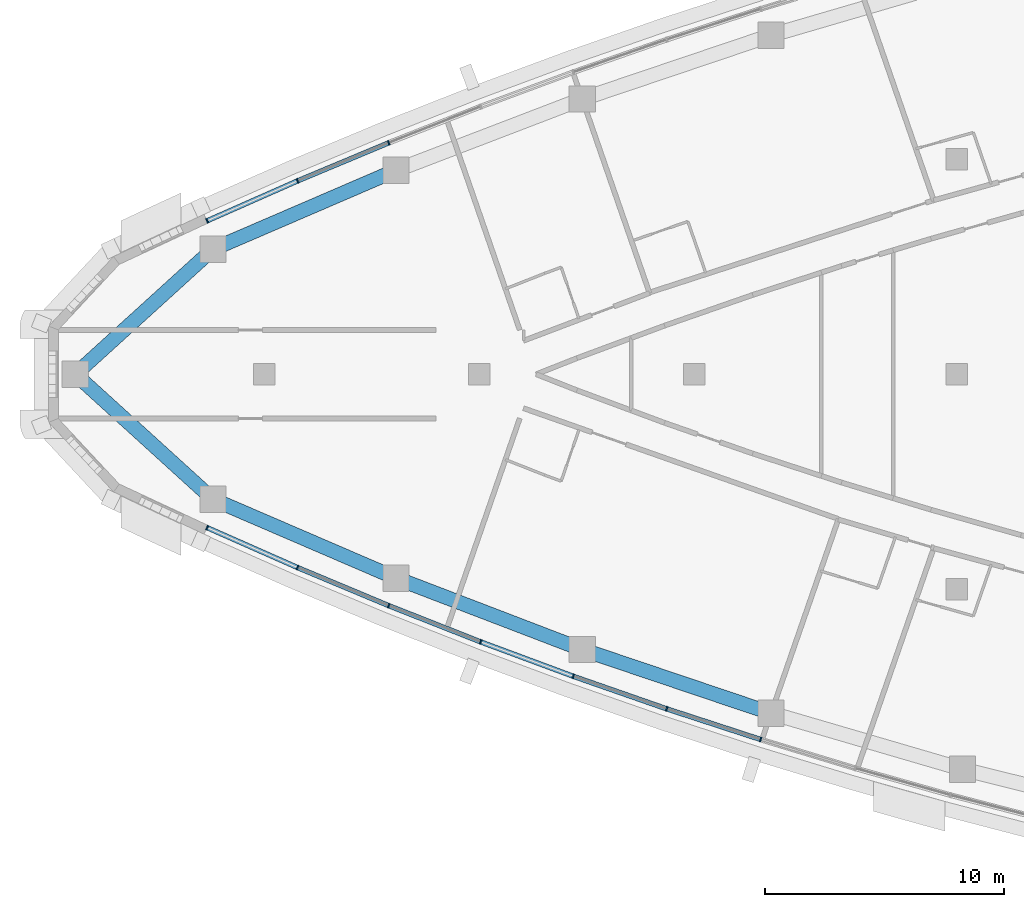
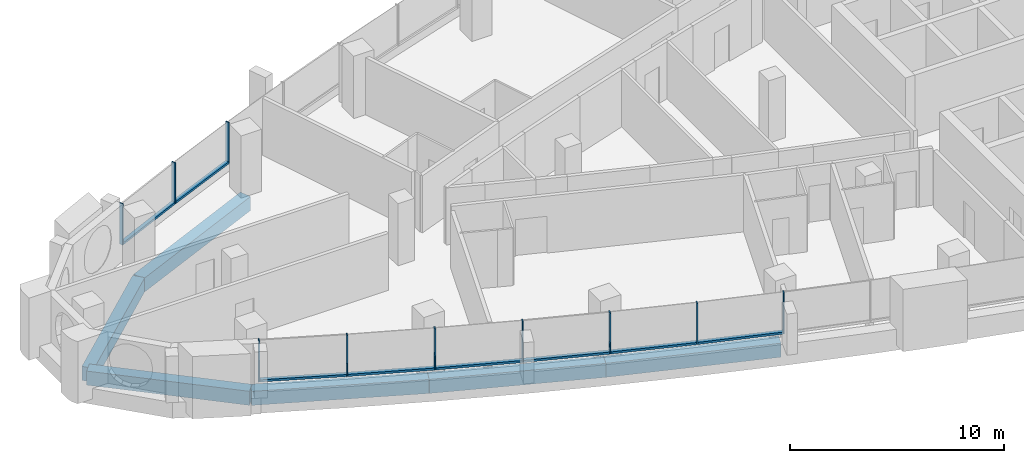
# One storey, part 2 of 14: 18 members, 6 beams, 5 elements without a shape of their own.
"""IFC4 building model written with IfcOpenShell, lengths in metres."""

from ifc_helpers import new_model, si_unit, direction, frame, origin, origin_2d, place, context, subcontext, project, spatial, rectangle, extrude, material, layer, layer_set, material_profile, profile_set, type_object, element, aggregate, save


model = new_model("IFC4")

# Units and contexts
model_context = context("Model", 3, precision=1e-05, world=origin(), true_north=direction((0.0, 1.0)))
body_context = subcontext(model_context, "Body", "Model", "MODEL_VIEW")
ifc_project = project(units=[si_unit("LENGTHUNIT", "METRE"), si_unit("AREAUNIT", "SQUARE_METRE"), si_unit("VOLUMEUNIT", "CUBIC_METRE"), si_unit("PLANEANGLEUNIT", "RADIAN"), si_unit("MASSUNIT", "GRAM", prefix="KILO")], contexts=[model_context])

# Site, building, storey
site_placement = place(None, origin())
site = spatial("IfcSite", under=ifc_project, at=site_placement, CompositionType="ELEMENT")
building_placement = place(site_placement, origin())
building = spatial("IfcBuilding", under=site, at=building_placement, Name="Ostrand Prow Hotel Tower", CompositionType="ELEMENT")
storey_placement = place(building_placement, frame((0.0, 0.0, 267.89990234375)))
storey = spatial("IfcBuildingStorey", under=building, at=storey_placement, Name="L67", CompositionType="ELEMENT", Elevation=267.89990234375)

# Beams
ifc_material_1 = material(Name="Concrete C50/60", Category="concrete")
ifc_material_profile_1 = material_profile(ifc_material_1, rectangle(XDim=0.60009765625, YDim=0.800048828125, at=origin_2d()), Name="RC 600x800")
ifc_profile_set_1 = profile_set([ifc_material_profile_1], Name="Concrete C50/60")
beam_type = type_object("IfcBeamType", Name="Edge beam 600x800 C50/60", PredefinedType="SPANDREL", material=ifc_profile_set_1)
beam_1_placement = place(storey_placement, frame((8.082763671875, 0.0, -0.699951171875), z_axis=(0.740124460758, -0.672469912032, 0.0), x_axis=(0.672469912032, 0.740124460758, 0.0)))
element("IfcBeam", 1, at=beam_1_placement, inside=storey, type_object=beam_type, Name="Edge beam P-S1", PredefinedType="SPANDREL", context=body_context, shape_type="SweptSolid", body=[
    extrude(rectangle(XDim=0.60009765625, YDim=0.800048828125, at=origin_2d()), origin(), (0.0, 0.0, 1.0), 7.787353515625),
])
for number, where, z_axis, x_axis, name in (
    (2, (13.846435546875, -5.23681640625, -0.699951171875), (0.918403788687, -0.39564438695, 0.0), (0.39564438695, 0.918403788687, 0.0), "Edge beam S1-S2"),
    (3, (21.51416015625, -8.5400390625, -0.699951171875), (0.933761753797, -0.357895218111, 0.0), (0.357895218111, 0.933761753797, 0.0), "Edge beam S2-S3"),
    (4, (29.31005859375, -11.528076171875, -0.699951171875), (0.947575089419, -0.319533174981, 0.0), (0.319533174981, 0.947575089419, 0.0), "Edge beam S3-S4"),
    (5, (21.51416015625, 8.5400390625, -0.699951171875), (-0.918403788687, -0.39564438695, 0.0), (0.39564438695, -0.918403788687, 0.0), "Edge beam N5-N6"),
):
    element("IfcBeam", number, at=place(storey_placement, frame(where, z_axis=z_axis, x_axis=x_axis)), inside=storey, type_object=beam_type, Name=name, PredefinedType="SPANDREL", context=body_context, shape_type="SweptSolid", body=[
        extrude(rectangle(XDim=0.60009765625, YDim=0.800048828125, at=origin_2d()), origin(), (0.0, 0.0, 1.0), 8.348876953125),
    ])
beam_2_placement = place(storey_placement, frame((13.846435546875, 5.23681640625, -0.699951171875), z_axis=(-0.740124460758, -0.672469912032, 0.0), x_axis=(0.672469912032, -0.740124460758, 0.0)))
element("IfcBeam", 6, at=beam_2_placement, inside=storey, type_object=beam_type, Name="Edge beam N6-P", PredefinedType="SPANDREL", context=body_context, shape_type="SweptSolid", body=[
    extrude(rectangle(XDim=0.60009765625, YDim=0.800048828125, at=origin_2d()), origin(), (0.0, 0.0, 1.0), 7.787353515625),
])

# Curtain wall, members
ifc_material_2 = material(Name="Insulated glass in bronze anodised frame", Category="glass")
ifc_layer = layer(ifc_material_2, 0.199951171875)
ifc_layer_set = layer_set([ifc_layer], Name="Insulated glass in bronze anodised frame")
curtain_wall_type = type_object("IfcCurtainWallType", Name="Strip curtain wall, fritted glass over bronze spandrel", PredefinedType="NOTDEFINED", material=ifc_layer_set)
curtain_wall_1_placement = place(storey_placement, origin())
curtain_wall_1 = element("IfcCurtainWall", 7, at=curtain_wall_1_placement, inside=storey, type_object=curtain_wall_type, Name="CW1 run CWS1", PredefinedType="NOTDEFINED")
ifc_material_3 = material(Name="Bronze anodised aluminium", Category="aluminium")
ifc_material_profile_2 = material_profile(ifc_material_3, rectangle(XDim=0.199951171875, YDim=0.06005859375, at=origin_2d()), Name="Mullion 60x200 bronze anodised aluminium")
ifc_profile_set_2 = profile_set([ifc_material_profile_2], Name="Bronze anodised aluminium")
member_type_1 = type_object("IfcMemberType", Name="Mullion 60x200 bronze anodised aluminium", PredefinedType="MULLION", material=ifc_profile_set_2)
member_1_placement = place(storey_placement, frame((13.60009765625, -6.423583984375, 0.900146484375), z_axis=(0.0, 0.0, 1.0), x_axis=(0.403939694592, 0.914785615941, 0.0)))
member_1 = element("IfcMember", 8, at=member_1_placement, type_object=member_type_1, Name="CW1 mullion 1", PredefinedType="MULLION", context=body_context, shape_type="SweptSolid", body=[
    extrude(rectangle(XDim=0.199951171875, YDim=0.06005859375, at=origin_2d()), origin(), (0.0, 0.0, 1.0), 2.349853515625),
])
member_2_placement = place(storey_placement, frame((17.386962890625, -8.095947265625, 0.900146484375), z_axis=(0.0, 0.0, 1.0), x_axis=(0.385471263659, 0.922719840955, 0.0)))
member_2 = element("IfcMember", 9, at=member_2_placement, type_object=member_type_1, Name="CW1 mullion 2", PredefinedType="MULLION", context=body_context, shape_type="SweptSolid", body=[
    extrude(rectangle(XDim=0.199951171875, YDim=0.06005859375, at=origin_2d()), origin(), (0.0, 0.0, 1.0), 2.349853515625),
])
member_3_placement = place(storey_placement, frame((21.206787109375, -9.691650390625, 0.900146484375), z_axis=(0.0, 0.0, 1.0), x_axis=(0.385471263659, 0.922719840955, 0.0)))
member_3 = element("IfcMember", 10, at=member_3_placement, type_object=member_type_1, Name="CW1 mullion 3", PredefinedType="MULLION", context=body_context, shape_type="SweptSolid", body=[
    extrude(rectangle(XDim=0.199951171875, YDim=0.06005859375, at=origin_2d()), origin(), (0.0, 0.0, 1.0), 2.349853515625),
])

curtain_wall_2_placement = place(storey_placement, origin())
curtain_wall_2 = element("IfcCurtainWall", 11, at=curtain_wall_2_placement, inside=storey, type_object=curtain_wall_type, Name="CW1 run CWS2", PredefinedType="NOTDEFINED")
member_4_placement = place(storey_placement, frame((25.05810546875, -11.210205078125, 0.900146484375), z_axis=(0.0, 0.0, 1.0), x_axis=(0.348071422738, 0.937468017947, 0.0)))
member_4 = element("IfcMember", 12, at=member_4_placement, type_object=member_type_1, Name="CW1 mullion 2", PredefinedType="MULLION", context=body_context, shape_type="SweptSolid", body=[
    extrude(rectangle(XDim=0.199951171875, YDim=0.06005859375, at=origin_2d()), origin(), (0.0, 0.0, 1.0), 2.349853515625),
])
member_5_placement = place(storey_placement, frame((28.93896484375, -12.6513671875, 0.900146484375), z_axis=(0.0, 0.0, 1.0), x_axis=(0.348071422738, 0.937468017947, 0.0)))
member_5 = element("IfcMember", 13, at=member_5_placement, type_object=member_type_1, Name="CW1 mullion 3", PredefinedType="MULLION", context=body_context, shape_type="SweptSolid", body=[
    extrude(rectangle(XDim=0.199951171875, YDim=0.06005859375, at=origin_2d()), origin(), (0.0, 0.0, 1.0), 2.349853515625),
])

curtain_wall_3_placement = place(storey_placement, origin())
curtain_wall_3 = element("IfcCurtainWall", 14, at=curtain_wall_3_placement, inside=storey, type_object=curtain_wall_type, Name="CW1 run CWS3", PredefinedType="NOTDEFINED")
member_6_placement = place(storey_placement, frame((32.84814453125, -14.013916015625, 0.900146484375), z_axis=(0.0, 0.0, 1.0), x_axis=(0.310110668289, 0.950700464612, 0.0)))
member_6 = element("IfcMember", 15, at=member_6_placement, type_object=member_type_1, Name="CW1 mullion 2", PredefinedType="MULLION", context=body_context, shape_type="SweptSolid", body=[
    extrude(rectangle(XDim=0.199951171875, YDim=0.06005859375, at=origin_2d()), origin(), (0.0, 0.0, 1.0), 2.349853515625),
])
member_7_placement = place(storey_placement, frame((36.78369140625, -15.297607421875, 0.900146484375), z_axis=(0.0, 0.0, 1.0), x_axis=(0.310110668289, 0.950700464612, 0.0)))
member_7 = element("IfcMember", 16, at=member_7_placement, type_object=member_type_1, Name="CW1 mullion 3", PredefinedType="MULLION", context=body_context, shape_type="SweptSolid", body=[
    extrude(rectangle(XDim=0.199951171875, YDim=0.06005859375, at=origin_2d()), origin(), (0.0, 0.0, 1.0), 2.349853515625),
])

# Curtain wall, member
curtain_wall_4_placement = place(storey_placement, origin())
curtain_wall_4 = element("IfcCurtainWall", 17, at=curtain_wall_4_placement, inside=storey, type_object=curtain_wall_type, Name="CW1 run CWN4", PredefinedType="NOTDEFINED")
member_8_placement = place(storey_placement, frame((21.206787109375, 9.691650390625, 0.900146484375), z_axis=(0.0, 0.0, 1.0), x_axis=(0.366845465248, -0.930281895249, 0.0)))
member_8 = element("IfcMember", 18, at=member_8_placement, type_object=member_type_1, Name="CW1 mullion 3", PredefinedType="MULLION", context=body_context, shape_type="SweptSolid", body=[
    extrude(rectangle(XDim=0.199951171875, YDim=0.06005859375, at=origin_2d()), origin(), (0.0, 0.0, 1.0), 2.349853515625),
])
aggregate(curtain_wall_4, [member_8])

# Curtain wall, members
curtain_wall_5_placement = place(storey_placement, origin())
curtain_wall_5 = element("IfcCurtainWall", 19, at=curtain_wall_5_placement, inside=storey, type_object=curtain_wall_type, Name="CW1 run CWN5", PredefinedType="NOTDEFINED")
member_9_placement = place(storey_placement, frame((17.386962890625, 8.095947265625, 0.900146484375), z_axis=(0.0, 0.0, 1.0), x_axis=(0.403939694592, -0.914785615941, 0.0)))
member_9 = element("IfcMember", 20, at=member_9_placement, type_object=member_type_1, Name="CW1 mullion 2", PredefinedType="MULLION", context=body_context, shape_type="SweptSolid", body=[
    extrude(rectangle(XDim=0.199951171875, YDim=0.06005859375, at=origin_2d()), origin(), (0.0, 0.0, 1.0), 2.349853515625),
])
member_10_placement = place(storey_placement, frame((13.60009765625, 6.423583984375, 0.900146484375), z_axis=(0.0, 0.0, 1.0), x_axis=(0.403939694592, -0.914785615941, 0.0)))
member_10 = element("IfcMember", 21, at=member_10_placement, type_object=member_type_1, Name="CW1 mullion 3", PredefinedType="MULLION", context=body_context, shape_type="SweptSolid", body=[
    extrude(rectangle(XDim=0.199951171875, YDim=0.06005859375, at=origin_2d()), origin(), (0.0, 0.0, 1.0), 2.349853515625),
])

# Member
ifc_material_4 = material(Name="Bronze anodised aluminium", Category="aluminium")
ifc_material_profile_3 = material_profile(ifc_material_4, rectangle(XDim=0.199951171875, YDim=0.1201171875, at=origin_2d()), Name="Transom 120x200 bronze anodised aluminium")
ifc_profile_set_3 = profile_set([ifc_material_profile_3], Name="Bronze anodised aluminium")
member_type_2 = type_object("IfcMemberType", Name="Transom 120x200 bronze anodised aluminium", PredefinedType="USERDEFINED", material=ifc_profile_set_3)
member_11_placement = place(storey_placement, frame((13.62744140625, -6.435791015625, 0.960205078125), z_axis=(0.914791011182, -0.403927475991, 0.0), x_axis=(0.403927475991, 0.914791011182, 0.0)))
member_11 = element("IfcMember", 22, at=member_11_placement, type_object=member_type_2, Name="CW1 transom 1.1", ObjectType="TRANSOM", PredefinedType="USERDEFINED", context=body_context, shape_type="SweptSolid", body=[
    extrude(rectangle(XDim=0.199951171875, YDim=0.1201171875, at=origin_2d()), origin(), (0.0, 0.0, 1.0), 4.079833984375),
])

member_12_placement = place(storey_placement, frame((17.414794921875, -8.107421875, 0.960205078125), z_axis=(0.922706465875, -0.385503278628, 0.0), x_axis=(0.385503278628, 0.922706465875, 0.0)))
member_12 = element("IfcMember", 23, at=member_12_placement, type_object=member_type_2, Name="CW1 transom 2.1", ObjectType="TRANSOM", PredefinedType="USERDEFINED", context=body_context, shape_type="SweptSolid", body=[
    extrude(rectangle(XDim=0.199951171875, YDim=0.1201171875, at=origin_2d()), origin(), (0.0, 0.0, 1.0), 4.079833984375),
])

aggregate(curtain_wall_1, [member_1, member_2, member_3, member_11, member_12])

member_13_placement = place(storey_placement, frame((21.23486328125, -9.70263671875, 0.960205078125), z_axis=(0.930289613186, -0.366825892759, 0.0), x_axis=(0.366825892759, 0.930289613186, 0.0)))
member_13 = element("IfcMember", 24, at=member_13_placement, type_object=member_type_2, Name="CW1 transom 1.1", ObjectType="TRANSOM", PredefinedType="USERDEFINED", context=body_context, shape_type="SweptSolid", body=[
    extrude(rectangle(XDim=0.199951171875, YDim=0.1201171875, at=origin_2d()), origin(), (0.0, 0.0, 1.0), 4.079833984375),
])

member_14_placement = place(storey_placement, frame((25.086181640625, -11.220703125, 0.960205078125), z_axis=(0.937460424566, -0.348091873465, 0.0), x_axis=(0.348091873465, 0.937460424566, 0.0)))
member_14 = element("IfcMember", 25, at=member_14_placement, type_object=member_type_2, Name="CW1 transom 2.1", ObjectType="TRANSOM", PredefinedType="USERDEFINED", context=body_context, shape_type="SweptSolid", body=[
    extrude(rectangle(XDim=0.199951171875, YDim=0.1201171875, at=origin_2d()), origin(), (0.0, 0.0, 1.0), 4.079833984375),
])

aggregate(curtain_wall_2, [member_4, member_5, member_13, member_14])

member_15_placement = place(storey_placement, frame((28.96728515625, -12.6611328125, 0.960205078125), z_axis=(0.944268108385, -0.329177367822, 0.0), x_axis=(0.329177367822, 0.944268108385, 0.0)))
member_15 = element("IfcMember", 26, at=member_15_placement, type_object=member_type_2, Name="CW1 transom 1.1", ObjectType="TRANSOM", PredefinedType="USERDEFINED", context=body_context, shape_type="SweptSolid", body=[
    extrude(rectangle(XDim=0.199951171875, YDim=0.1201171875, at=origin_2d()), origin(), (0.0, 0.0, 1.0), 4.079833984375),
])

member_16_placement = place(storey_placement, frame((32.876708984375, -14.023193359375, 0.960205078125), z_axis=(0.950704145978, -0.310099382165, 0.0), x_axis=(0.310099382165, 0.950704145978, 0.0)))
member_16 = element("IfcMember", 27, at=member_16_placement, type_object=member_type_2, Name="CW1 transom 2.1", ObjectType="TRANSOM", PredefinedType="USERDEFINED", context=body_context, shape_type="SweptSolid", body=[
    extrude(rectangle(XDim=0.199951171875, YDim=0.1201171875, at=origin_2d()), origin(), (0.0, 0.0, 1.0), 4.079833984375),
])

aggregate(curtain_wall_3, [member_6, member_7, member_15, member_16])

member_17_placement = place(storey_placement, frame((21.17919921875, 9.68017578125, 0.960205078125), z_axis=(-0.922706465875, -0.385503278628, 0.0), x_axis=(0.385503278628, -0.922706465875, 0.0)))
member_17 = element("IfcMember", 28, at=member_17_placement, type_object=member_type_2, Name="CW1 transom 1.1", ObjectType="TRANSOM", PredefinedType="USERDEFINED", context=body_context, shape_type="SweptSolid", body=[
    extrude(rectangle(XDim=0.199951171875, YDim=0.1201171875, at=origin_2d()), origin(), (0.0, 0.0, 1.0), 4.079833984375),
])

member_18_placement = place(storey_placement, frame((17.359619140625, 8.083740234375, 0.960205078125), z_axis=(-0.914791011182, -0.403927475991, 0.0), x_axis=(0.403927475991, -0.914791011182, 0.0)))
member_18 = element("IfcMember", 29, at=member_18_placement, type_object=member_type_2, Name="CW1 transom 2.1", ObjectType="TRANSOM", PredefinedType="USERDEFINED", context=body_context, shape_type="SweptSolid", body=[
    extrude(rectangle(XDim=0.199951171875, YDim=0.1201171875, at=origin_2d()), origin(), (0.0, 0.0, 1.0), 4.079833984375),
])

aggregate(curtain_wall_5, [member_9, member_10, member_17, member_18])

save(model, "model.ifc")
